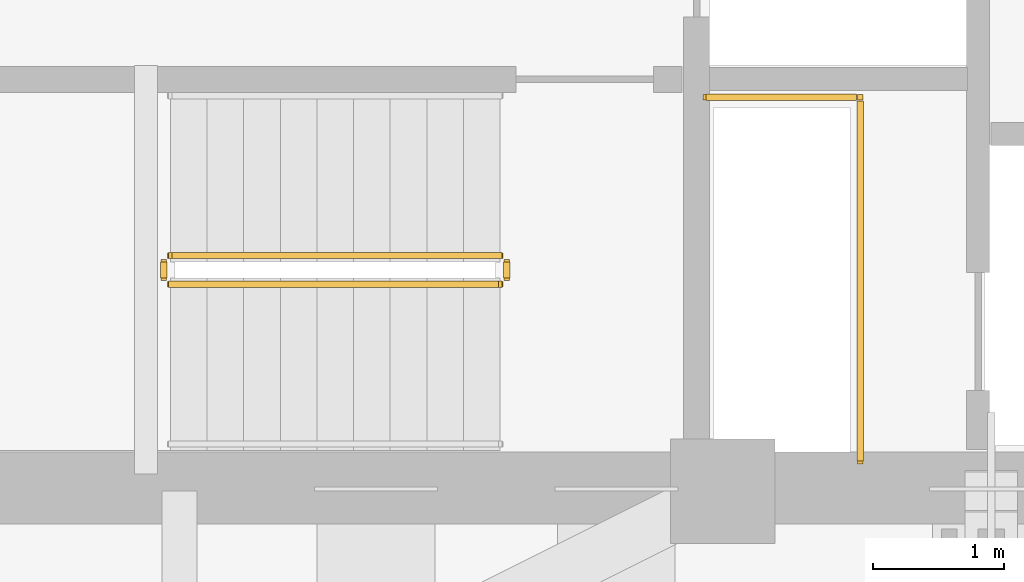
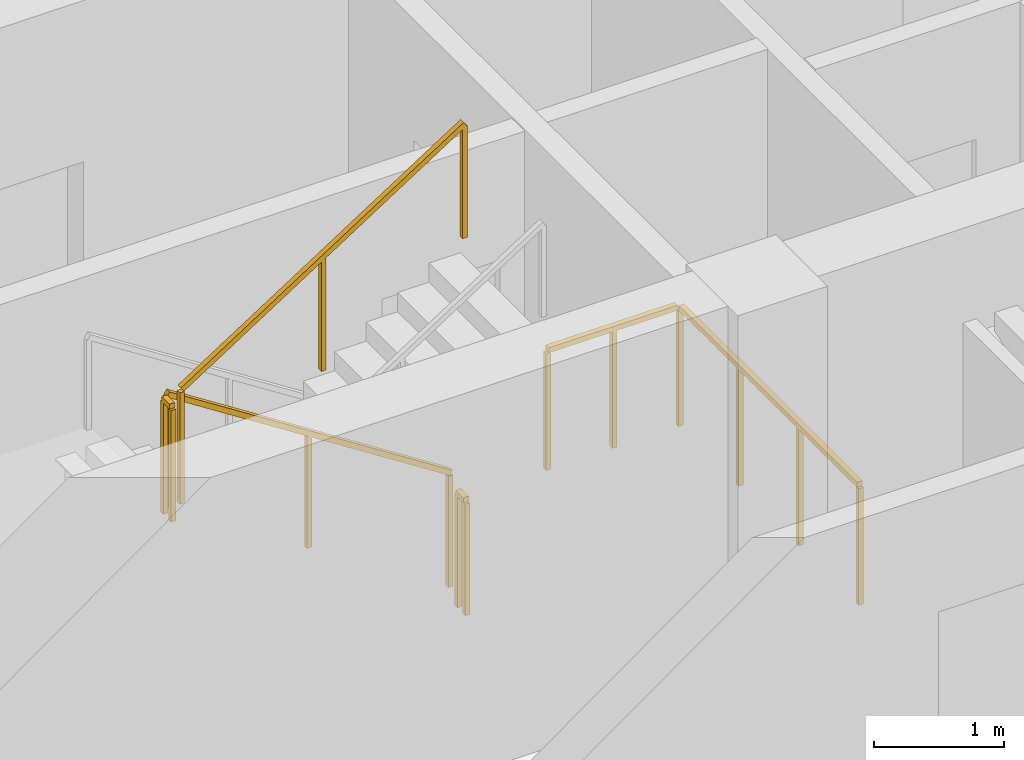
# One storey, part 12 of 15: 5 railings.
"""IFC4 building model written with IfcOpenShell, lengths in metres."""

from ifc_helpers import new_model, si_unit, direction, frame, origin, origin_2d, place, context, subcontext, project, spatial, rectangle, extrude, material, type_object, element, save


model = new_model("IFC4")

# Units and contexts
model_context = context("Model", 3, precision=1e-05, world=origin(), true_north=direction((0.0, 1.0)))
body_context = subcontext(model_context, "Body", "Model", "MODEL_VIEW")
ifc_project = project(units=[si_unit("LENGTHUNIT", "METRE"), si_unit("AREAUNIT", "SQUARE_METRE"), si_unit("VOLUMEUNIT", "CUBIC_METRE"), si_unit("PLANEANGLEUNIT", "RADIAN"), si_unit("MASSUNIT", "GRAM", prefix="KILO")], contexts=[model_context])

# Site, building, storey
site_placement = place(None, origin())
site = spatial("IfcSite", under=ifc_project, at=site_placement, CompositionType="ELEMENT")
building_placement = place(site_placement, origin())
building = spatial("IfcBuilding", under=site, at=building_placement, Name="Qhalaya Broadcast Tower", CompositionType="ELEMENT")
storey_placement = place(building_placement, frame((0.0, 0.0, 101.25)))
storey = spatial("IfcBuildingStorey", under=building, at=storey_placement, Name="L29", CompositionType="ELEMENT", Elevation=101.25)

# Railings
ifc_material = material(Name="Powder-Coated Galvanised Steel", Category="steel")
railing_type = type_object("IfcRailingType", Name="Stair Well & Landing Guardrail 1100", PredefinedType="GUARDRAIL", material=ifc_material)
railing_1_placement = place(storey_placement, frame((-1.0, -8.52001953125, 0.0)))
element("IfcRailing", 1, at=railing_1_placement, inside=storey, type_object=railing_type, Name="L29 Service Riser Opening Safety Guard SRSR", PredefinedType="GUARDRAIL", context=body_context, shape_type="SweptSolid", body=[
    extrude(rectangle(XDim=0.048095703125, YDim=0.048095703125, at=origin_2d()), frame((0.0, 0.0, 1.1259765625), z_axis=(0.0, 1.0, 0.0), x_axis=(-1.0, 0.0, 0.0)), (0.0, 0.0, 1.0), 2.751220703125),
    extrude(rectangle(XDim=0.048095703125, YDim=0.048095703125, at=origin_2d()), frame((-0.02880859375, 2.780029296875, 1.1259765625), z_axis=(-1.0, 0.0, 0.0), x_axis=(0.0, -1.0, 0.0)), (0.0, 0.0, 1.0), 1.151123046875),
    extrude(rectangle(XDim=0.0419921875, YDim=0.0419921875, at=origin_2d()), origin(), (0.0, 0.0, 1.0), 1.099853515625),
    extrude(rectangle(XDim=0.0419921875, YDim=0.0419921875, at=origin_2d()), frame((0.0, 0.9267578125, 0.0)), (0.0, 0.0, 1.0), 1.099853515625),
    extrude(rectangle(XDim=0.0419921875, YDim=0.0419921875, at=origin_2d()), frame((0.0, 1.853271484375, 0.0)), (0.0, 0.0, 1.0), 1.099853515625),
    extrude(rectangle(XDim=0.0419921875, YDim=0.0419921875, at=origin_2d()), frame((0.0, 2.780029296875, 0.0)), (0.0, 0.0, 1.0), 1.099853515625),
    extrude(rectangle(XDim=0.0419921875, YDim=0.0419921875, at=origin_2d()), frame((-0.58984375, 2.780029296875, 0.0)), (0.0, 0.0, 1.0), 1.099853515625),
    extrude(rectangle(XDim=0.0419921875, YDim=0.0419921875, at=origin_2d()), frame((-1.179931640625, 2.780029296875, 0.0)), (0.0, 0.0, 1.0), 1.099853515625),
])
railing_2_placement = place(storey_placement, frame((-3.75, -6.949951171875, 0.179931640625)))
element("IfcRailing", 2, at=railing_2_placement, inside=storey, type_object=railing_type, Name="L29 ST-2 Stair Guard 1", PredefinedType="GUARDRAIL", context=body_context, shape_type="SweptSolid", body=[
    extrude(rectangle(XDim=0.048095703125, YDim=0.048095703125, at=origin_2d()), frame((0.0, 0.0, 1.076171875), z_axis=(-0.841162588446, 0.0, 0.540782303519), x_axis=(0.0, -1.0, 0.0)), (0.0, 0.0, 1.0), 2.995849609375),
    extrude(rectangle(XDim=0.0419921875, YDim=0.0419921875, at=origin_2d()), origin(), (0.0, 0.0, 1.0), 1.050048828125),
    extrude(rectangle(XDim=0.0419921875, YDim=0.0419921875, at=origin_2d()), frame((-1.260009765625, 0.0, 0.81005859375)), (0.0, 0.0, 1.0), 1.050048828125),
    extrude(rectangle(XDim=0.0419921875, YDim=0.0419921875, at=origin_2d()), frame((-2.52001953125, 0.0, 1.6201171875)), (0.0, 0.0, 1.0), 1.050048828125),
])
railing_3_placement = place(storey_placement, frame((-6.320068359375, -7.0, 1.800048828125)))
element("IfcRailing", 3, at=railing_3_placement, inside=storey, type_object=railing_type, Name="L29 ST-2 Stair Guard 2", PredefinedType="GUARDRAIL", context=body_context, shape_type="SweptSolid", body=[
    extrude(rectangle(XDim=0.048095703125, YDim=0.048095703125, at=origin_2d()), frame((0.0, 0.0, 1.076171875), z_axis=(0.0, -1.0, 0.0), x_axis=(1.0, 0.0, 0.0)), (0.0, 0.0, 1.0), 0.1201171875),
    extrude(rectangle(XDim=0.0419921875, YDim=0.0419921875, at=origin_2d()), origin(), (0.0, 0.0, 1.0), 1.050048828125),
    extrude(rectangle(XDim=0.0419921875, YDim=0.0419921875, at=origin_2d()), frame((0.0, -0.1201171875, 0.0)), (0.0, 0.0, 1.0), 1.050048828125),
])
railing_4_placement = place(storey_placement, frame((-6.27001953125, -7.169921875, 1.97998046875)))
element("IfcRailing", 4, at=railing_4_placement, inside=storey, type_object=railing_type, Name="L29 ST-2 Stair Guard 3", PredefinedType="GUARDRAIL", context=body_context, shape_type="SweptSolid", body=[
    extrude(rectangle(XDim=0.048095703125, YDim=0.048095703125, at=origin_2d()), frame((0.0, 0.0, 1.076171875), z_axis=(0.841162588446, 0.0, 0.540782303519), x_axis=(0.0, 1.0, 0.0)), (0.0, 0.0, 1.0), 2.995849609375),
    extrude(rectangle(XDim=0.0419921875, YDim=0.0419921875, at=origin_2d()), origin(), (0.0, 0.0, 1.0), 1.050048828125),
    extrude(rectangle(XDim=0.0419921875, YDim=0.0419921875, at=origin_2d()), frame((1.260009765625, 0.0, 0.81005859375)), (0.0, 0.0, 1.0), 1.050048828125),
    extrude(rectangle(XDim=0.0419921875, YDim=0.0419921875, at=origin_2d()), frame((2.52001953125, 0.0, 1.6201171875)), (0.0, 0.0, 1.0), 1.050048828125),
])
railing_5_placement = place(storey_placement, frame((-3.699951171875, -7.0, 0.0)))
element("IfcRailing", 5, at=railing_5_placement, inside=storey, type_object=railing_type, Name="L29 ST-2 Stair Guard 4", PredefinedType="GUARDRAIL", context=body_context, shape_type="SweptSolid", body=[
    extrude(rectangle(XDim=0.048095703125, YDim=0.048095703125, at=origin_2d()), frame((0.0, 0.0, 1.076171875), z_axis=(0.0, -1.0, 0.0), x_axis=(1.0, 0.0, 0.0)), (0.0, 0.0, 1.0), 0.1201171875),
    extrude(rectangle(XDim=0.0419921875, YDim=0.0419921875, at=origin_2d()), origin(), (0.0, 0.0, 1.0), 1.050048828125),
    extrude(rectangle(XDim=0.0419921875, YDim=0.0419921875, at=origin_2d()), frame((0.0, -0.1201171875, 0.0)), (0.0, 0.0, 1.0), 1.050048828125),
])

save(model, "model.ifc")
